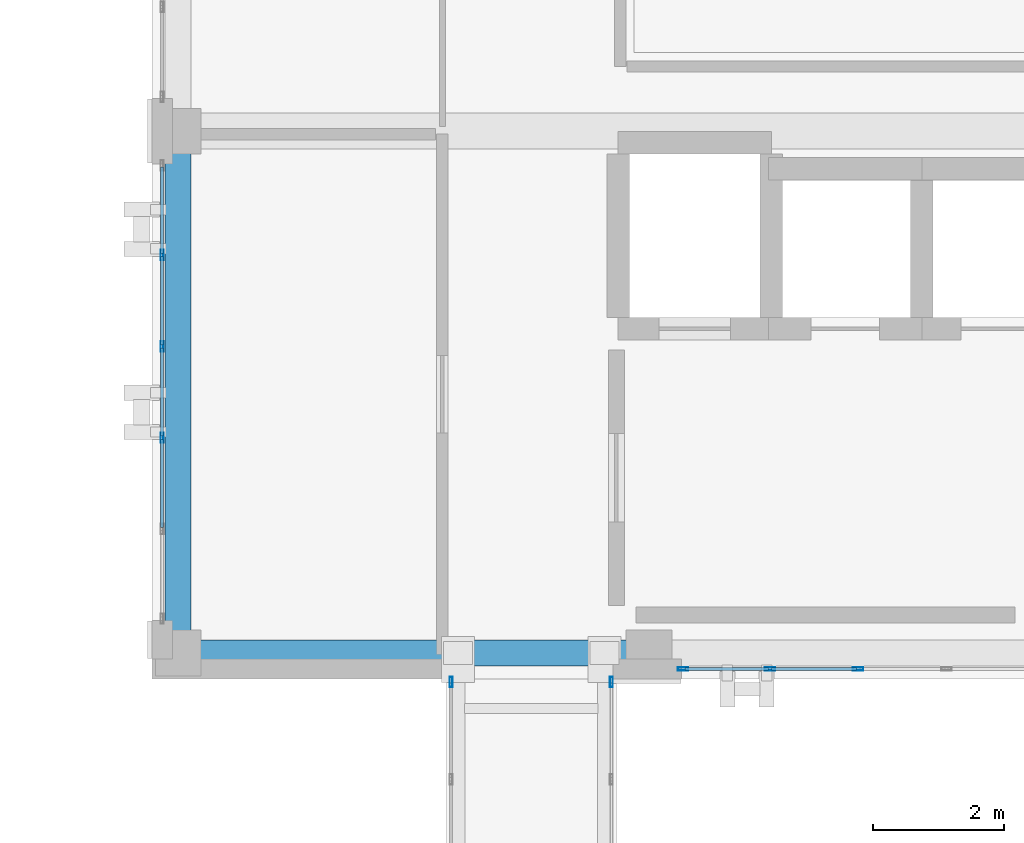
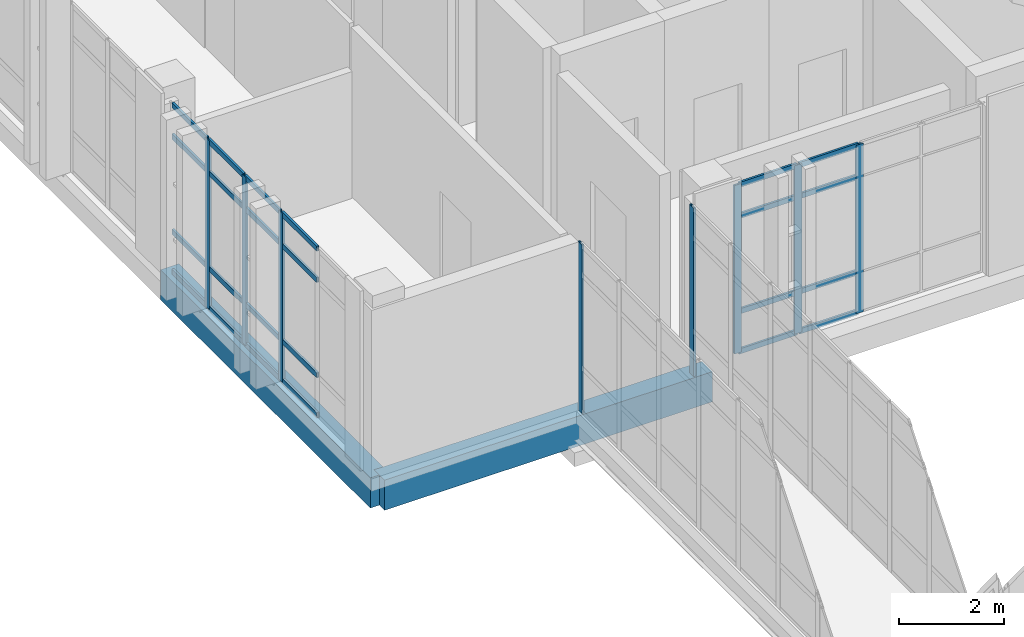
# One storey, part 60 of 193: 32 members, 2 beams, 4 elements without a shape of their own.
"""IFC4 building model written with IfcOpenShell, lengths in metres."""

from ifc_helpers import new_model, si_unit, direction, frame, origin, origin_2d, place, context, subcontext, project, spatial, rectangle, hollow_rectangle, extrude, material, layer, layer_set, material_profile, profile_set, type_object, element, aggregate, save


model = new_model("IFC4")

# Units and contexts
model_context = context("Model", 3, precision=1e-05, world=origin(), true_north=direction((0.0, 1.0)))
body_context = subcontext(model_context, "Body", "Model", "MODEL_VIEW")
ifc_project = project(units=[si_unit("LENGTHUNIT", "METRE"), si_unit("AREAUNIT", "SQUARE_METRE"), si_unit("VOLUMEUNIT", "CUBIC_METRE"), si_unit("PLANEANGLEUNIT", "RADIAN"), si_unit("MASSUNIT", "GRAM", prefix="KILO")], contexts=[model_context])

# Site, building, storey
site_placement = place(None, origin())
site = spatial("IfcSite", under=ifc_project, at=site_placement, CompositionType="ELEMENT")
building_placement = place(site_placement, origin())
building = spatial("IfcBuilding", under=site, at=building_placement, Name="Qalavern Law Courts", CompositionType="ELEMENT")
storey_placement = place(building_placement, frame((0.0, 0.0, 10.199951171875)))
storey = spatial("IfcBuildingStorey", under=building, at=storey_placement, Name="L02", CompositionType="ELEMENT", Elevation=10.199951171875)

# Curtain wall, members
ifc_material_1 = material(Name="Anodised aluminium and insulated glazing", Category="aluminium")
ifc_layer_1 = layer(ifc_material_1, 0.172119140625)
ifc_layer_set_1 = layer_set([ifc_layer_1], Name="Anodised aluminium and insulated glazing")
curtain_wall_type_1 = type_object("IfcCurtainWallType", Name="ENV-CW-COURT", PredefinedType="USERDEFINED", material=ifc_layer_set_1)
curtain_wall_1_placement = place(storey_placement, origin())
curtain_wall_1 = element("IfcCurtainWall", 1, at=curtain_wall_1_placement, inside=storey, type_object=curtain_wall_type_1, Name="V4 unitised curtain wall L02 south 1", ObjectType="UNITISED CURTAIN WALL", PredefinedType="USERDEFINED")
ifc_material_2 = material(Name="Anodised aluminium", Category="aluminium")
ifc_material_profile_1 = material_profile(ifc_material_2, hollow_rectangle(XDim=0.048095703125, YDim=0.159912109375, WallThickness=0.00390625, at=origin_2d()), Name="ALU MULLION 48x160")
ifc_profile_set_1 = profile_set([ifc_material_profile_1], Name="Anodised aluminium")
member_type_1 = type_object("IfcMemberType", Name="ENV-CWM-48x160", PredefinedType="MULLION", material=ifc_profile_set_1)
member_1_placement = place(storey_placement, frame((92.323974609375, 41.175048828125, 0.0), z_axis=(0.0, 0.0, 1.0), x_axis=(0.0, 1.0, 0.0)))
member_1 = element("IfcMember", 2, at=member_1_placement, type_object=member_type_1, Name="CW-03 mullion 1", PredefinedType="MULLION", context=body_context, shape_type="SweptSolid", body=[
    extrude(hollow_rectangle(XDim=0.048095703125, YDim=0.159912109375, WallThickness=0.00390625, at=origin_2d()), origin(), (0.0, 0.0, 1.0), 3.9150390625),
])
member_2_placement = place(storey_placement, frame((93.64990234375, 41.175048828125, 0.0), z_axis=(0.0, 0.0, 1.0), x_axis=(0.0, 1.0, 0.0)))
member_2 = element("IfcMember", 3, at=member_2_placement, type_object=member_type_1, Name="CW-03 mullion 2", PredefinedType="MULLION", context=body_context, shape_type="SweptSolid", body=[
    extrude(hollow_rectangle(XDim=0.048095703125, YDim=0.159912109375, WallThickness=0.00390625, at=origin_2d()), origin(), (0.0, 0.0, 1.0), 3.9150390625),
])
member_3_placement = place(storey_placement, frame((95.0, 41.175048828125, 0.0), z_axis=(0.0, 0.0, 1.0), x_axis=(0.0, 1.0, 0.0)))
member_3 = element("IfcMember", 4, at=member_3_placement, type_object=member_type_1, Name="CW-03 mullion 3", PredefinedType="MULLION", context=body_context, shape_type="SweptSolid", body=[
    extrude(hollow_rectangle(XDim=0.048095703125, YDim=0.159912109375, WallThickness=0.00390625, at=origin_2d()), origin(), (0.0, 0.0, 1.0), 3.9150390625),
])

curtain_wall_2_placement = place(storey_placement, origin())
curtain_wall_2 = element("IfcCurtainWall", 5, at=curtain_wall_2_placement, inside=storey, type_object=curtain_wall_type_1, Name="V4 unitised curtain wall L02 west 6", ObjectType="UNITISED CURTAIN WALL", PredefinedType="USERDEFINED")
member_4_placement = place(storey_placement, frame((84.35498046875, 47.50390625, 0.0), z_axis=(0.0, 0.0, 1.0), x_axis=(1.0, 0.0, 0.0)))
member_4 = element("IfcMember", 6, at=member_4_placement, type_object=member_type_1, Name="CW-03 mullion 2", PredefinedType="MULLION", context=body_context, shape_type="SweptSolid", body=[
    extrude(hollow_rectangle(XDim=0.048095703125, YDim=0.159912109375, WallThickness=0.00390625, at=origin_2d()), origin(), (0.0, 0.0, 1.0), 3.9150390625),
])
member_5_placement = place(storey_placement, frame((84.35498046875, 46.10791015625, 0.0), z_axis=(0.0, 0.0, 1.0), x_axis=(1.0, 0.0, 0.0)))
member_5 = element("IfcMember", 7, at=member_5_placement, type_object=member_type_1, Name="CW-03 mullion 3", PredefinedType="MULLION", context=body_context, shape_type="SweptSolid", body=[
    extrude(hollow_rectangle(XDim=0.048095703125, YDim=0.159912109375, WallThickness=0.00390625, at=origin_2d()), origin(), (0.0, 0.0, 1.0), 3.9150390625),
])
member_6_placement = place(storey_placement, frame((84.35498046875, 44.7119140625, 0.0), z_axis=(0.0, 0.0, 1.0), x_axis=(1.0, 0.0, 0.0)))
member_6 = element("IfcMember", 8, at=member_6_placement, type_object=member_type_1, Name="CW-03 mullion 4", PredefinedType="MULLION", context=body_context, shape_type="SweptSolid", body=[
    extrude(hollow_rectangle(XDim=0.048095703125, YDim=0.159912109375, WallThickness=0.00390625, at=origin_2d()), origin(), (0.0, 0.0, 1.0), 3.9150390625),
])

# Curtain wall, member
ifc_layer_2 = layer(ifc_material_1, 0.14990234375)
ifc_layer_set_2 = layer_set([ifc_layer_2], Name="Anodised aluminium and insulated glazing")
curtain_wall_type_2 = type_object("IfcCurtainWallType", Name="ENV-CW-BRG", PredefinedType="USERDEFINED", material=ifc_layer_set_2)
curtain_wall_3_placement = place(storey_placement, origin())
curtain_wall_3 = element("IfcCurtainWall", 9, at=curtain_wall_3_placement, inside=storey, type_object=curtain_wall_type_2, Name="Bridge BR-V2-V4 glazed curtain wall L02-1", ObjectType="UNITISED CURTAIN WALL", PredefinedType="USERDEFINED")
member_7_placement = place(storey_placement, frame((88.77490234375, 40.97607421875, 0.0), z_axis=(0.0, 0.0, 1.0), x_axis=(1.0, 0.0, 0.0)))
member_7 = element("IfcMember", 10, at=member_7_placement, type_object=member_type_1, Name="CW-06 mullion 1", PredefinedType="MULLION", context=body_context, shape_type="SweptSolid", body=[
    extrude(hollow_rectangle(XDim=0.048095703125, YDim=0.159912109375, WallThickness=0.00390625, at=origin_2d()), origin(), (0.0, 0.0, 1.0), 3.9150390625),
])
aggregate(curtain_wall_3, [member_7])

curtain_wall_4_placement = place(storey_placement, origin())
curtain_wall_4 = element("IfcCurtainWall", 11, at=curtain_wall_4_placement, inside=storey, type_object=curtain_wall_type_2, Name="Bridge BR-V2-V4 glazed curtain wall L02-2", ObjectType="UNITISED CURTAIN WALL", PredefinedType="USERDEFINED")
member_8_placement = place(storey_placement, frame((91.22509765625, 40.97607421875, 0.0), z_axis=(0.0, 0.0, 1.0), x_axis=(-1.0, 0.0, 0.0)))
member_8 = element("IfcMember", 12, at=member_8_placement, type_object=member_type_1, Name="CW-06 mullion 8", PredefinedType="MULLION", context=body_context, shape_type="SweptSolid", body=[
    extrude(hollow_rectangle(XDim=0.048095703125, YDim=0.159912109375, WallThickness=0.00390625, at=origin_2d()), origin(), (0.0, 0.0, 1.0), 3.9150390625),
])
aggregate(curtain_wall_4, [member_8])

# Member
ifc_material_profile_2 = material_profile(ifc_material_2, hollow_rectangle(XDim=0.048095703125, YDim=0.1201171875, WallThickness=0.00390625, at=origin_2d()), Name="ALU TRANSOM 48x120")
ifc_profile_set_2 = profile_set([ifc_material_profile_2], Name="Anodised aluminium")
member_type_2 = type_object("IfcMemberType", Name="ENV-CWT-48x120", PredefinedType="USERDEFINED", material=ifc_profile_set_2)
member_9_placement = place(storey_placement, frame((92.347900390625, 41.175048828125, 0.024169921875), z_axis=(1.0, 0.0, 0.0), x_axis=(0.0, 1.0, 0.0)))
member_9 = element("IfcMember", 13, at=member_9_placement, type_object=member_type_2, Name="CW-03 transom 1.1", ObjectType="TRANSOM", PredefinedType="USERDEFINED", context=body_context, shape_type="SweptSolid", body=[
    extrude(hollow_rectangle(XDim=0.048095703125, YDim=0.1201171875, WallThickness=0.00390625, at=origin_2d()), origin(), (0.0, 0.0, 1.0), 1.278076171875),
])

member_10_placement = place(storey_placement, frame((92.347900390625, 41.175048828125, 0.949951171875), z_axis=(1.0, 0.0, 0.0), x_axis=(0.0, 1.0, 0.0)))
member_10 = element("IfcMember", 14, at=member_10_placement, type_object=member_type_2, Name="CW-03 transom 1.2", ObjectType="TRANSOM", PredefinedType="USERDEFINED", context=body_context, shape_type="SweptSolid", body=[
    extrude(hollow_rectangle(XDim=0.048095703125, YDim=0.1201171875, WallThickness=0.00390625, at=origin_2d()), origin(), (0.0, 0.0, 1.0), 1.278076171875),
])

member_11_placement = place(storey_placement, frame((92.347900390625, 41.175048828125, 3.1650390625), z_axis=(1.0, 0.0, 0.0), x_axis=(0.0, 1.0, 0.0)))
member_11 = element("IfcMember", 15, at=member_11_placement, type_object=member_type_2, Name="CW-03 transom 1.3", ObjectType="TRANSOM", PredefinedType="USERDEFINED", context=body_context, shape_type="SweptSolid", body=[
    extrude(hollow_rectangle(XDim=0.048095703125, YDim=0.1201171875, WallThickness=0.00390625, at=origin_2d()), origin(), (0.0, 0.0, 1.0), 1.278076171875),
])

member_12_placement = place(storey_placement, frame((92.347900390625, 41.175048828125, 3.89111328125), z_axis=(1.0, 0.0, 0.0), x_axis=(0.0, 1.0, 0.0)))
member_12 = element("IfcMember", 16, at=member_12_placement, type_object=member_type_2, Name="CW-03 transom 1.4", ObjectType="TRANSOM", PredefinedType="USERDEFINED", context=body_context, shape_type="SweptSolid", body=[
    extrude(hollow_rectangle(XDim=0.048095703125, YDim=0.1201171875, WallThickness=0.00390625, at=origin_2d()), origin(), (0.0, 0.0, 1.0), 1.278076171875),
])

member_13_placement = place(storey_placement, frame((93.674072265625, 41.175048828125, 0.024169921875), z_axis=(1.0, 0.0, 0.0), x_axis=(0.0, 1.0, 0.0)))
member_13 = element("IfcMember", 17, at=member_13_placement, type_object=member_type_2, Name="CW-03 transom 2.1", ObjectType="TRANSOM", PredefinedType="USERDEFINED", context=body_context, shape_type="SweptSolid", body=[
    extrude(hollow_rectangle(XDim=0.048095703125, YDim=0.1201171875, WallThickness=0.00390625, at=origin_2d()), origin(), (0.0, 0.0, 1.0), 1.302001953125),
])

member_14_placement = place(storey_placement, frame((93.674072265625, 41.175048828125, 0.949951171875), z_axis=(1.0, 0.0, 0.0), x_axis=(0.0, 1.0, 0.0)))
member_14 = element("IfcMember", 18, at=member_14_placement, type_object=member_type_2, Name="CW-03 transom 2.2", ObjectType="TRANSOM", PredefinedType="USERDEFINED", context=body_context, shape_type="SweptSolid", body=[
    extrude(hollow_rectangle(XDim=0.048095703125, YDim=0.1201171875, WallThickness=0.00390625, at=origin_2d()), origin(), (0.0, 0.0, 1.0), 1.302001953125),
])

member_15_placement = place(storey_placement, frame((93.674072265625, 41.175048828125, 3.1650390625), z_axis=(1.0, 0.0, 0.0), x_axis=(0.0, 1.0, 0.0)))
member_15 = element("IfcMember", 19, at=member_15_placement, type_object=member_type_2, Name="CW-03 transom 2.3", ObjectType="TRANSOM", PredefinedType="USERDEFINED", context=body_context, shape_type="SweptSolid", body=[
    extrude(hollow_rectangle(XDim=0.048095703125, YDim=0.1201171875, WallThickness=0.00390625, at=origin_2d()), origin(), (0.0, 0.0, 1.0), 1.302001953125),
])

member_16_placement = place(storey_placement, frame((93.674072265625, 41.175048828125, 3.89111328125), z_axis=(1.0, 0.0, 0.0), x_axis=(0.0, 1.0, 0.0)))
member_16 = element("IfcMember", 20, at=member_16_placement, type_object=member_type_2, Name="CW-03 transom 2.4", ObjectType="TRANSOM", PredefinedType="USERDEFINED", context=body_context, shape_type="SweptSolid", body=[
    extrude(hollow_rectangle(XDim=0.048095703125, YDim=0.1201171875, WallThickness=0.00390625, at=origin_2d()), origin(), (0.0, 0.0, 1.0), 1.302001953125),
])

aggregate(curtain_wall_1, [member_1, member_2, member_3, member_9, member_10, member_11, member_12, member_13, member_14, member_15, member_16])

member_17_placement = place(storey_placement, frame((84.35498046875, 48.85205078125, 0.024169921875), z_axis=(0.0, -1.0, 0.0), x_axis=(1.0, 0.0, 0.0)))
member_17 = element("IfcMember", 21, at=member_17_placement, type_object=member_type_2, Name="CW-03 transom 1.1", ObjectType="TRANSOM", PredefinedType="USERDEFINED", context=body_context, shape_type="SweptSolid", body=[
    extrude(hollow_rectangle(XDim=0.048095703125, YDim=0.1201171875, WallThickness=0.00390625, at=origin_2d()), origin(), (0.0, 0.0, 1.0), 1.323974609375),
])

member_18_placement = place(storey_placement, frame((84.35498046875, 48.85205078125, 0.949951171875), z_axis=(0.0, -1.0, 0.0), x_axis=(1.0, 0.0, 0.0)))
member_18 = element("IfcMember", 22, at=member_18_placement, type_object=member_type_2, Name="CW-03 transom 1.2", ObjectType="TRANSOM", PredefinedType="USERDEFINED", context=body_context, shape_type="SweptSolid", body=[
    extrude(hollow_rectangle(XDim=0.048095703125, YDim=0.1201171875, WallThickness=0.00390625, at=origin_2d()), origin(), (0.0, 0.0, 1.0), 1.323974609375),
])

member_19_placement = place(storey_placement, frame((84.35498046875, 48.85205078125, 3.1650390625), z_axis=(0.0, -1.0, 0.0), x_axis=(1.0, 0.0, 0.0)))
member_19 = element("IfcMember", 23, at=member_19_placement, type_object=member_type_2, Name="CW-03 transom 1.3", ObjectType="TRANSOM", PredefinedType="USERDEFINED", context=body_context, shape_type="SweptSolid", body=[
    extrude(hollow_rectangle(XDim=0.048095703125, YDim=0.1201171875, WallThickness=0.00390625, at=origin_2d()), origin(), (0.0, 0.0, 1.0), 1.323974609375),
])

member_20_placement = place(storey_placement, frame((84.35498046875, 48.85205078125, 3.89111328125), z_axis=(0.0, -1.0, 0.0), x_axis=(1.0, 0.0, 0.0)))
member_20 = element("IfcMember", 24, at=member_20_placement, type_object=member_type_2, Name="CW-03 transom 1.4", ObjectType="TRANSOM", PredefinedType="USERDEFINED", context=body_context, shape_type="SweptSolid", body=[
    extrude(hollow_rectangle(XDim=0.048095703125, YDim=0.1201171875, WallThickness=0.00390625, at=origin_2d()), origin(), (0.0, 0.0, 1.0), 1.323974609375),
])

member_21_placement = place(storey_placement, frame((84.35498046875, 47.47998046875, 0.024169921875), z_axis=(0.0, -1.0, 0.0), x_axis=(1.0, 0.0, 0.0)))
member_21 = element("IfcMember", 25, at=member_21_placement, type_object=member_type_2, Name="CW-03 transom 2.1", ObjectType="TRANSOM", PredefinedType="USERDEFINED", context=body_context, shape_type="SweptSolid", body=[
    extrude(hollow_rectangle(XDim=0.048095703125, YDim=0.1201171875, WallThickness=0.00390625, at=origin_2d()), origin(), (0.0, 0.0, 1.0), 1.347900390625),
])

member_22_placement = place(storey_placement, frame((84.35498046875, 47.47998046875, 0.949951171875), z_axis=(0.0, -1.0, 0.0), x_axis=(1.0, 0.0, 0.0)))
member_22 = element("IfcMember", 26, at=member_22_placement, type_object=member_type_2, Name="CW-03 transom 2.2", ObjectType="TRANSOM", PredefinedType="USERDEFINED", context=body_context, shape_type="SweptSolid", body=[
    extrude(hollow_rectangle(XDim=0.048095703125, YDim=0.1201171875, WallThickness=0.00390625, at=origin_2d()), origin(), (0.0, 0.0, 1.0), 1.347900390625),
])

member_23_placement = place(storey_placement, frame((84.35498046875, 47.47998046875, 3.1650390625), z_axis=(0.0, -1.0, 0.0), x_axis=(1.0, 0.0, 0.0)))
member_23 = element("IfcMember", 27, at=member_23_placement, type_object=member_type_2, Name="CW-03 transom 2.3", ObjectType="TRANSOM", PredefinedType="USERDEFINED", context=body_context, shape_type="SweptSolid", body=[
    extrude(hollow_rectangle(XDim=0.048095703125, YDim=0.1201171875, WallThickness=0.00390625, at=origin_2d()), origin(), (0.0, 0.0, 1.0), 1.347900390625),
])

member_24_placement = place(storey_placement, frame((84.35498046875, 47.47998046875, 3.89111328125), z_axis=(0.0, -1.0, 0.0), x_axis=(1.0, 0.0, 0.0)))
member_24 = element("IfcMember", 28, at=member_24_placement, type_object=member_type_2, Name="CW-03 transom 2.4", ObjectType="TRANSOM", PredefinedType="USERDEFINED", context=body_context, shape_type="SweptSolid", body=[
    extrude(hollow_rectangle(XDim=0.048095703125, YDim=0.1201171875, WallThickness=0.00390625, at=origin_2d()), origin(), (0.0, 0.0, 1.0), 1.347900390625),
])

member_25_placement = place(storey_placement, frame((84.35498046875, 46.083984375, 0.024169921875), z_axis=(0.0, -1.0, 0.0), x_axis=(1.0, 0.0, 0.0)))
member_25 = element("IfcMember", 29, at=member_25_placement, type_object=member_type_2, Name="CW-03 transom 3.1", ObjectType="TRANSOM", PredefinedType="USERDEFINED", context=body_context, shape_type="SweptSolid", body=[
    extrude(hollow_rectangle(XDim=0.048095703125, YDim=0.1201171875, WallThickness=0.00390625, at=origin_2d()), origin(), (0.0, 0.0, 1.0), 1.347900390625),
])

member_26_placement = place(storey_placement, frame((84.35498046875, 46.083984375, 0.949951171875), z_axis=(0.0, -1.0, 0.0), x_axis=(1.0, 0.0, 0.0)))
member_26 = element("IfcMember", 30, at=member_26_placement, type_object=member_type_2, Name="CW-03 transom 3.2", ObjectType="TRANSOM", PredefinedType="USERDEFINED", context=body_context, shape_type="SweptSolid", body=[
    extrude(hollow_rectangle(XDim=0.048095703125, YDim=0.1201171875, WallThickness=0.00390625, at=origin_2d()), origin(), (0.0, 0.0, 1.0), 1.347900390625),
])

member_27_placement = place(storey_placement, frame((84.35498046875, 46.083984375, 3.1650390625), z_axis=(0.0, -1.0, 0.0), x_axis=(1.0, 0.0, 0.0)))
member_27 = element("IfcMember", 31, at=member_27_placement, type_object=member_type_2, Name="CW-03 transom 3.3", ObjectType="TRANSOM", PredefinedType="USERDEFINED", context=body_context, shape_type="SweptSolid", body=[
    extrude(hollow_rectangle(XDim=0.048095703125, YDim=0.1201171875, WallThickness=0.00390625, at=origin_2d()), origin(), (0.0, 0.0, 1.0), 1.347900390625),
])

member_28_placement = place(storey_placement, frame((84.35498046875, 46.083984375, 3.89111328125), z_axis=(0.0, -1.0, 0.0), x_axis=(1.0, 0.0, 0.0)))
member_28 = element("IfcMember", 32, at=member_28_placement, type_object=member_type_2, Name="CW-03 transom 3.4", ObjectType="TRANSOM", PredefinedType="USERDEFINED", context=body_context, shape_type="SweptSolid", body=[
    extrude(hollow_rectangle(XDim=0.048095703125, YDim=0.1201171875, WallThickness=0.00390625, at=origin_2d()), origin(), (0.0, 0.0, 1.0), 1.347900390625),
])

member_29_placement = place(storey_placement, frame((84.35498046875, 44.68798828125, 0.024169921875), z_axis=(0.0, -1.0, 0.0), x_axis=(1.0, 0.0, 0.0)))
member_29 = element("IfcMember", 33, at=member_29_placement, type_object=member_type_2, Name="CW-03 transom 4.1", ObjectType="TRANSOM", PredefinedType="USERDEFINED", context=body_context, shape_type="SweptSolid", body=[
    extrude(hollow_rectangle(XDim=0.048095703125, YDim=0.1201171875, WallThickness=0.00390625, at=origin_2d()), origin(), (0.0, 0.0, 1.0), 1.347900390625),
])

member_30_placement = place(storey_placement, frame((84.35498046875, 44.68798828125, 0.949951171875), z_axis=(0.0, -1.0, 0.0), x_axis=(1.0, 0.0, 0.0)))
member_30 = element("IfcMember", 34, at=member_30_placement, type_object=member_type_2, Name="CW-03 transom 4.2", ObjectType="TRANSOM", PredefinedType="USERDEFINED", context=body_context, shape_type="SweptSolid", body=[
    extrude(hollow_rectangle(XDim=0.048095703125, YDim=0.1201171875, WallThickness=0.00390625, at=origin_2d()), origin(), (0.0, 0.0, 1.0), 1.347900390625),
])

member_31_placement = place(storey_placement, frame((84.35498046875, 44.68798828125, 3.1650390625), z_axis=(0.0, -1.0, 0.0), x_axis=(1.0, 0.0, 0.0)))
member_31 = element("IfcMember", 35, at=member_31_placement, type_object=member_type_2, Name="CW-03 transom 4.3", ObjectType="TRANSOM", PredefinedType="USERDEFINED", context=body_context, shape_type="SweptSolid", body=[
    extrude(hollow_rectangle(XDim=0.048095703125, YDim=0.1201171875, WallThickness=0.00390625, at=origin_2d()), origin(), (0.0, 0.0, 1.0), 1.347900390625),
])

member_32_placement = place(storey_placement, frame((84.35498046875, 44.68798828125, 3.89111328125), z_axis=(0.0, -1.0, 0.0), x_axis=(1.0, 0.0, 0.0)))
member_32 = element("IfcMember", 36, at=member_32_placement, type_object=member_type_2, Name="CW-03 transom 4.4", ObjectType="TRANSOM", PredefinedType="USERDEFINED", context=body_context, shape_type="SweptSolid", body=[
    extrude(hollow_rectangle(XDim=0.048095703125, YDim=0.1201171875, WallThickness=0.00390625, at=origin_2d()), origin(), (0.0, 0.0, 1.0), 1.347900390625),
])

aggregate(curtain_wall_2, [member_4, member_5, member_6, member_17, member_18, member_19, member_20, member_21, member_22, member_23, member_24, member_25, member_26, member_27, member_28, member_29, member_30, member_31, member_32])

# Beams
ifc_material_3 = material(Name="Concrete C40/50", Category="concrete")
ifc_material_profile_3 = material_profile(ifc_material_3, rectangle(XDim=0.39990234375, YDim=0.699951171875, at=origin_2d()), Name="RC 400x700")
ifc_profile_set_3 = profile_set([ifc_material_profile_3], Name="Concrete C40/50")
beam_type = type_object("IfcBeamType", Name="STR-SP-RC400x700", PredefinedType="SPANDREL", material=ifc_profile_set_3)
beam_1_placement = place(storey_placement, frame((84.60009765625, 41.419921875, -0.639892578125), z_axis=(1.0, 0.0, 0.0), x_axis=(0.0, 1.0, 0.0)))
element("IfcBeam", 37, at=beam_1_placement, inside=storey, type_object=beam_type, Name="V4 X-beam 1-1 L02", PredefinedType="SPANDREL", context=body_context, shape_type="SweptSolid", body=[
    extrude(rectangle(XDim=0.39990234375, YDim=0.699951171875, at=origin_2d()), origin(), (0.0, 0.0, 1.0), 7.199951171875),
])
beam_2_placement = place(storey_placement, frame((84.60009765625, 41.419921875, -0.639892578125), z_axis=(0.0, 1.0, 0.0), x_axis=(-1.0, 0.0, 0.0)))
element("IfcBeam", 38, at=beam_2_placement, inside=storey, type_object=beam_type, Name="V4 Y-beam 1-1 L02", PredefinedType="SPANDREL", context=body_context, shape_type="SweptSolid", body=[
    extrude(rectangle(XDim=0.39990234375, YDim=0.699951171875, at=origin_2d()), origin(), (0.0, 0.0, 1.0), 7.97998046875),
])

save(model, "model.ifc")
